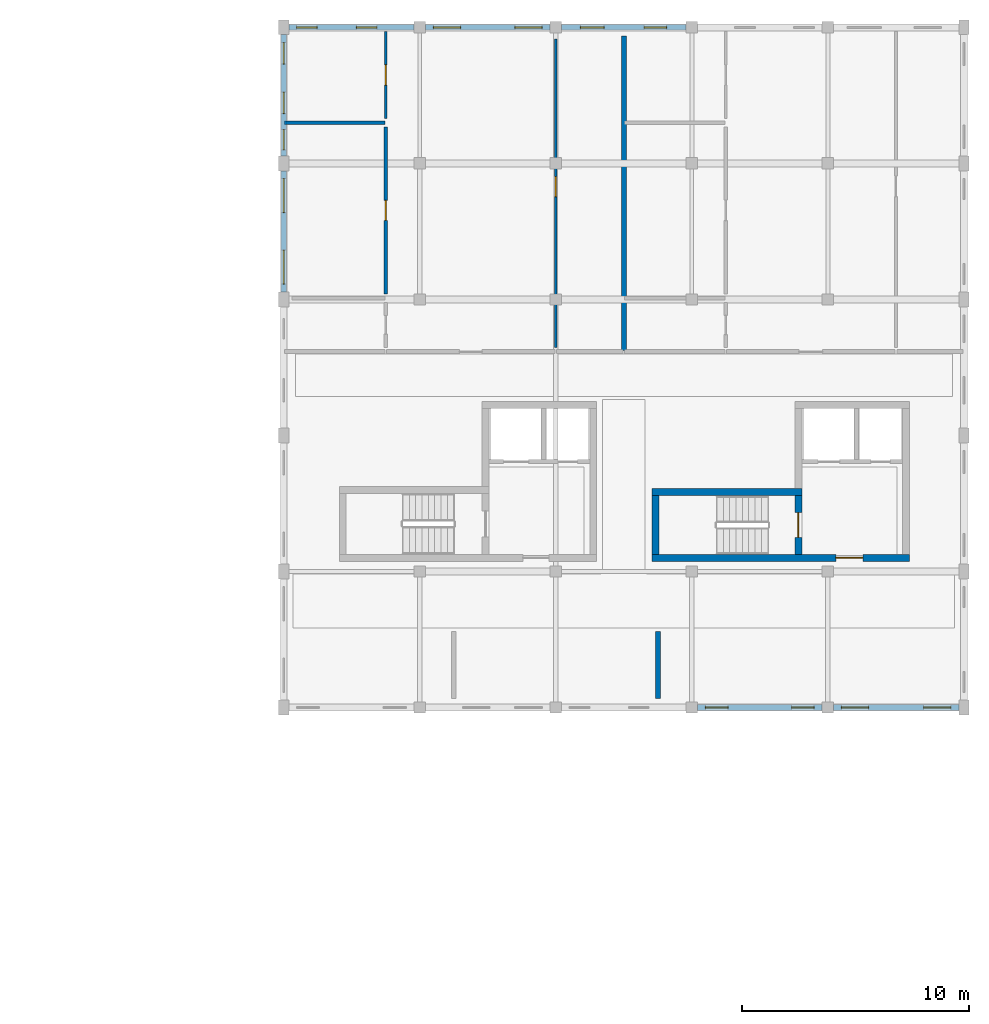
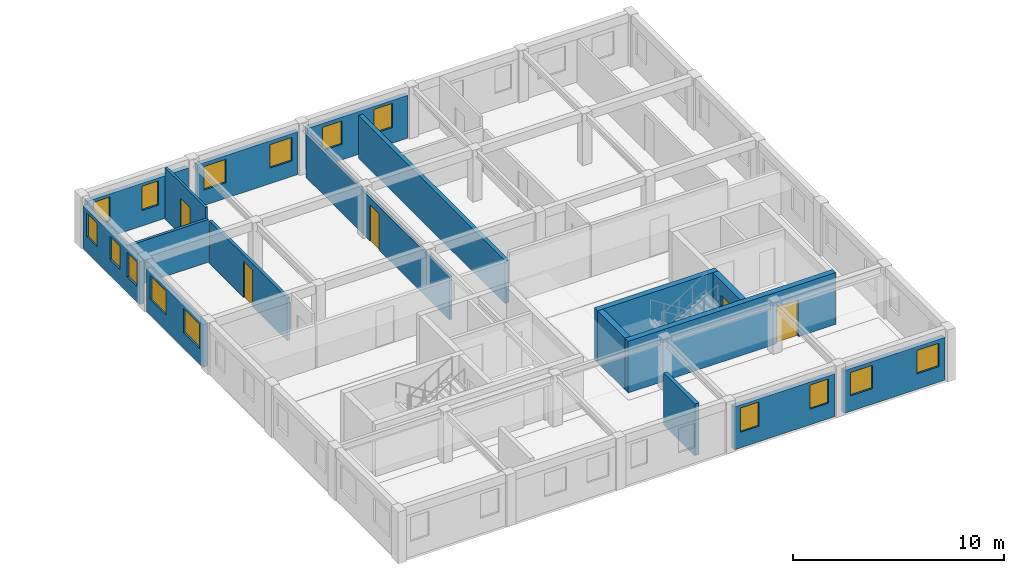
# One storey, part 8 of 13: 17 walls, 15 windows, 5 doors, 20 openings.
"""IFC4 building model written with IfcOpenShell, lengths in metres."""

from ifc_helpers import new_model, si_unit, direction, frame, frame_2d, origin, place, context, subcontext, project, spatial, rectangle, extrude, material, layer, layer_set, type_object, element, fill, save


model = new_model("IFC4")

# Units and contexts
model_context = context("Model", 3, precision=1e-05, world=origin(), true_north=direction((0.0, 1.0)))
body_context = subcontext(model_context, "Body", "Model", "MODEL_VIEW")
ifc_project = project(units=[si_unit("LENGTHUNIT", "METRE"), si_unit("AREAUNIT", "SQUARE_METRE"), si_unit("VOLUMEUNIT", "CUBIC_METRE"), si_unit("PLANEANGLEUNIT", "RADIAN"), si_unit("MASSUNIT", "GRAM", prefix="KILO"), si_unit("POWERUNIT", "WATT"), si_unit("THERMODYNAMICTEMPERATUREUNIT", "KELVIN")], contexts=[model_context])

# Site, building, storey
site_placement = place(None, origin())
site = spatial("IfcSite", under=ifc_project, at=site_placement, CompositionType="ELEMENT")
building_placement = place(site_placement, origin())
building = spatial("IfcBuilding", under=site, at=building_placement, Name="Ruvembo Vaulted Housing Court", CompositionType="ELEMENT")
storey_placement = place(building_placement, frame((0.0, 0.0, 33.300048828125)))
storey = spatial("IfcBuildingStorey", under=building, at=storey_placement, Name="L10", CompositionType="ELEMENT", Elevation=33.300048828125)

# Wall, opening, door
ifc_material_1 = material(Name="Concrete C35/45", Category="concrete")
ifc_layer_1 = layer(ifc_material_1, 0.300048828125, Name="Concrete C35/45")
ifc_layer_set_1 = layer_set([ifc_layer_1], Name="Concrete C35/45")
wall_type_1 = type_object("IfcWallType", Name="WL-CORE-300", PredefinedType="SHEAR", material=ifc_layer_set_1)
wall_1_placement = place(storey_placement, frame((64.25, 90.60009765625, 0.0), z_axis=(0.0, 0.0, 1.0), x_axis=(1.0, 0.0, 0.0)))
wall_1 = element("IfcWall", 1, at=wall_1_placement, inside=storey, type_object=wall_type_1, Name="Core B2 L10 South Shear Wall", PredefinedType="SHEAR", context=body_context, shape_type="SweptSolid", body=[
    extrude(rectangle(XDim=11.35009765625, YDim=0.300048828125, at=frame_2d((5.675048828125, 0.0))), origin(), (0.0, 0.0, 1.0), 2.989990234375),
])
opening_1_placement = place(wall_1_placement, frame((8.10009765625, 0.0, 0.0)))
opening_1 = element("IfcOpeningElement", 2, at=opening_1_placement, cuts=wall_1, Name="Opening LD3", PredefinedType="OPENING", context=body_context, shape_type="SweptSolid", body=[
    extrude(rectangle(XDim=1.199951171875, YDim=2.14990234375, at=frame_2d((0.60009765625, 1.074951171875))), frame((0.0, 0.159912109375, 0.0), z_axis=(0.0, -1.0, 0.0), x_axis=(1.0, 0.0, 0.0)), (0.0, 0.0, 1.0), 0.320068359375),
])
ifc_material_2 = material(Name="Galvanised Painted Steel", Category="steel")
door_type_1 = type_object("IfcDoorType", Name="DR-LOB-1200x2150", OperationType="NOTDEFINED", PredefinedType="DOOR", material=ifc_material_2)
door_1_placement = place(opening_1_placement, origin())
door_1 = element("IfcDoor", 3, at=door_1_placement, inside=storey, type_object=door_type_1, Name="Core B2 L10 Lobby Fire Door", OperationType="SINGLE_SWING_LEFT", OverallHeight=2.14990234375, OverallWidth=1.199951171875, PredefinedType="DOOR", context=body_context, shape_type="SweptSolid", body=[
    extrude(rectangle(XDim=1.199951171875, YDim=2.14990234375, at=frame_2d((0.60009765625, 1.074951171875))), frame((0.0, 0.02490234375, 0.0), z_axis=(0.0, -1.0, 0.0), x_axis=(1.0, 0.0, 0.0)), (0.0, 0.0, 1.0), 0.050048828125),
])
fill(opening_1, door_1)

# Walls
wall_2_placement = place(storey_placement, frame((70.85009765625, 93.5, 0.0), z_axis=(0.0, 0.0, 1.0), x_axis=(-1.0, 0.0, 0.0)))
element("IfcWall", 4, at=wall_2_placement, inside=storey, type_object=wall_type_1, Name="Core B2 L10 Stair North Shear Wall", PredefinedType="SHEAR", context=body_context, shape_type="SweptSolid", body=[
    extrude(rectangle(XDim=6.60009765625, YDim=0.300048828125, at=frame_2d((3.300048828125, 0.0))), origin(), (0.0, 0.0, 1.0), 2.989990234375),
])
wall_3_placement = place(storey_placement, frame((64.39990234375, 93.35009765625, 0.0), z_axis=(0.0, 0.0, 1.0), x_axis=(0.0, -1.0, 0.0)))
element("IfcWall", 5, at=wall_3_placement, inside=storey, type_object=wall_type_1, Name="Core B2 L10 Stair West Shear Wall", PredefinedType="SHEAR", context=body_context, shape_type="SweptSolid", body=[
    extrude(rectangle(XDim=2.60009765625, YDim=0.300048828125, at=frame_2d((1.300048828125, 0.0))), origin(), (0.0, 0.0, 1.0), 2.989990234375),
])

# Wall, opening, door
wall_4_placement = place(storey_placement, frame((70.699951171875, 90.75, 0.0), z_axis=(0.0, 0.0, 1.0), x_axis=(0.0, 1.0, 0.0)))
wall_4 = element("IfcWall", 6, at=wall_4_placement, inside=storey, type_object=wall_type_1, Name="Core B2 L10 Stair-Lobby Shear Wall", PredefinedType="SHEAR", context=body_context, shape_type="SweptSolid", body=[
    extrude(rectangle(XDim=2.60009765625, YDim=0.300048828125, at=frame_2d((1.300048828125, 0.0))), origin(), (0.0, 0.0, 1.0), 2.989990234375),
])
opening_2_placement = place(wall_4_placement, frame((0.75, 0.0, 0.0)))
opening_2 = element("IfcOpeningElement", 7, at=opening_2_placement, cuts=wall_4, Name="Opening SD2", PredefinedType="OPENING", context=body_context, shape_type="SweptSolid", body=[
    extrude(rectangle(XDim=1.10009765625, YDim=2.14990234375, at=frame_2d((0.550048828125, 1.074951171875))), frame((0.0, 0.159912109375, 0.0), z_axis=(0.0, -1.0, 0.0), x_axis=(1.0, 0.0, 0.0)), (0.0, 0.0, 1.0), 0.320068359375),
])
door_type_2 = type_object("IfcDoorType", Name="DR-STAIR-1100x2150", OperationType="NOTDEFINED", PredefinedType="DOOR", material=ifc_material_2)
door_2_placement = place(opening_2_placement, origin())
door_2 = element("IfcDoor", 8, at=door_2_placement, inside=storey, type_object=door_type_2, Name="Stair ST-B2 L10 Fire Door", OperationType="SINGLE_SWING_RIGHT", OverallHeight=2.14990234375, OverallWidth=1.10009765625, PredefinedType="DOOR", context=body_context, shape_type="SweptSolid", body=[
    extrude(rectangle(XDim=1.10009765625, YDim=2.14990234375, at=frame_2d((0.550048828125, 1.074951171875))), frame((0.0, 0.02490234375, 0.0), z_axis=(0.0, -1.0, 0.0), x_axis=(1.0, 0.0, 0.0)), (0.0, 0.0, 1.0), 0.050048828125),
])
fill(opening_2, door_2)

# Walls
ifc_material_3 = material(Name="Acoustic Masonry Demising 220", Category="masonry")
ifc_layer_2 = layer(ifc_material_3, 0.219970703125, Name="Acoustic Masonry Demising 220")
ifc_layer_set_2 = layer_set([ifc_layer_2], Name="Acoustic Masonry Demising 220")
wall_type_2 = type_object("IfcWallType", Name="WL-DEM-200", PredefinedType="SOLIDWALL", material=ifc_layer_set_2)
wall_5_placement = place(storey_placement, frame((64.5, 84.389892578125, 0.0), z_axis=(0.0, 0.0, 1.0), x_axis=(0.0, 1.0, 0.0)))
element("IfcWall", 9, at=wall_5_placement, inside=storey, type_object=wall_type_2, Name="L10 Demising B-L10-S2 WL-INT-L10-02244", PredefinedType="SOLIDWALL", context=body_context, shape_type="SweptSolid", body=[
    extrude(rectangle(XDim=2.97021484375, YDim=0.219970703125, at=frame_2d((1.485107421875, 0.0))), origin(), (0.0, 0.0, 1.0), 2.989990234375),
])
wall_6_placement = place(storey_placement, frame((63.0, 99.739990234375, 0.0), z_axis=(0.0, 0.0, 1.0), x_axis=(0.0, 1.0, 0.0)))
element("IfcWall", 10, at=wall_6_placement, inside=storey, type_object=wall_type_2, Name="L10 Demising B-L10-N1 WL-INT-L10-02245", PredefinedType="SOLIDWALL", context=body_context, shape_type="SweptSolid", body=[
    extrude(rectangle(XDim=13.8701171875, YDim=0.219970703125, at=frame_2d((6.93505859375, 0.0))), origin(), (0.0, 0.0, 1.0), 2.471923828125),
])

# Wall, openings, windows
ifc_material_4 = material(Name="Rendered Masonry 245", Category="masonry")
ifc_layer_3 = layer(ifc_material_4, 0.2451171875, Name="Rendered Masonry 245")
ifc_layer_set_3 = layer_set([ifc_layer_3], Name="Rendered Masonry 245")
wall_type_3 = type_object("IfcWallType", Name="WL-EXT-245", PredefinedType="STANDARD", material=ifc_layer_set_3)
wall_7_placement = place(storey_placement, frame((66.25, 84.0, 0.0), z_axis=(0.0, 0.0, 1.0), x_axis=(1.0, 0.0, 0.0)))
wall_7 = element("IfcWall", 11, at=wall_7_placement, inside=storey, type_object=wall_type_3, Name="Block B L10 Exterior Wall COURTYARD #4", PredefinedType="STANDARD", context=body_context, shape_type="SweptSolid", body=[
    extrude(rectangle(XDim=5.5, YDim=0.2451171875, at=frame_2d((2.75, 0.0))), origin(), (0.0, 0.0, 1.0), 2.471923828125),
])
opening_3_placement = place(wall_7_placement, frame((0.35009765625, 0.0, 0.89990234375)))
opening_3 = element("IfcOpeningElement", 12, at=opening_3_placement, cuts=wall_7, Name="Opening W08", PredefinedType="OPENING", context=body_context, shape_type="SweptSolid", body=[
    extrude(rectangle(XDim=1.0, YDim=1.39990234375, at=frame_2d((0.5, 0.699951171875))), frame((0.0, 0.132568359375, 0.0), z_axis=(0.0, -1.0, 0.0), x_axis=(1.0, 0.0, 0.0)), (0.0, 0.0, 1.0), 0.26513671875),
])
opening_4_placement = place(wall_7_placement, frame((4.14990234375, 0.0, 0.89990234375)))
opening_4 = element("IfcOpeningElement", 13, at=opening_4_placement, cuts=wall_7, Name="Opening W08", PredefinedType="OPENING", context=body_context, shape_type="SweptSolid", body=[
    extrude(rectangle(XDim=1.0, YDim=1.39990234375, at=frame_2d((0.5, 0.699951171875))), frame((0.0, 0.132568359375, 0.0), z_axis=(0.0, -1.0, 0.0), x_axis=(1.0, 0.0, 0.0)), (0.0, 0.0, 1.0), 0.26513671875),
])
ifc_material_5 = material(Name="Double Solar-Control Glazing in Aluminium Frame", Category="aluminium")
window_type_1 = type_object("IfcWindowType", Name="WIN-1000x1400", PartitioningType="SINGLE_PANEL", PredefinedType="WINDOW", material=ifc_material_5)
window_1_placement = place(opening_3_placement, origin())
window_1 = element("IfcWindow", 14, at=window_1_placement, inside=storey, type_object=window_type_1, Name="Block B L10 Window #1034", OverallHeight=1.39990234375, OverallWidth=1.0, PartitioningType="SINGLE_PANEL", PredefinedType="WINDOW", context=body_context, shape_type="SweptSolid", body=[
    extrude(rectangle(XDim=1.0, YDim=1.39990234375, at=frame_2d((0.5, 0.699951171875))), frame((0.0, 0.030029296875, 0.0), z_axis=(0.0, -1.0, 0.0), x_axis=(1.0, 0.0, 0.0)), (0.0, 0.0, 1.0), 0.06005859375),
])
fill(opening_3, window_1)
window_2_placement = place(opening_4_placement, origin())
window_2 = element("IfcWindow", 15, at=window_2_placement, inside=storey, type_object=window_type_1, Name="Block B L10 Window #1035", OverallHeight=1.39990234375, OverallWidth=1.0, PartitioningType="SINGLE_PANEL", PredefinedType="WINDOW", context=body_context, shape_type="SweptSolid", body=[
    extrude(rectangle(XDim=1.0, YDim=1.39990234375, at=frame_2d((0.5, 0.699951171875))), frame((0.0, 0.030029296875, 0.0), z_axis=(0.0, -1.0, 0.0), x_axis=(1.0, 0.0, 0.0)), (0.0, 0.0, 1.0), 0.06005859375),
])
fill(opening_4, window_2)

wall_8_placement = place(storey_placement, frame((72.25, 84.0, 0.0), z_axis=(0.0, 0.0, 1.0), x_axis=(1.0, 0.0, 0.0)))
wall_8 = element("IfcWall", 16, at=wall_8_placement, inside=storey, type_object=wall_type_3, Name="Block B L10 Exterior Wall COURTYARD #5", PredefinedType="STANDARD", context=body_context, shape_type="SweptSolid", body=[
    extrude(rectangle(XDim=5.52490234375, YDim=0.2451171875, at=frame_2d((2.762451171875, 0.0))), origin(), (0.0, 0.0, 1.0), 2.471923828125),
])
opening_5_placement = place(wall_8_placement, frame((0.35009765625, 0.0, 0.89990234375)))
opening_5 = element("IfcOpeningElement", 17, at=opening_5_placement, cuts=wall_8, Name="Opening W12", PredefinedType="OPENING", context=body_context, shape_type="SweptSolid", body=[
    extrude(rectangle(XDim=1.199951171875, YDim=1.35009765625, at=frame_2d((0.60009765625, 0.675048828125))), frame((0.0, 0.132568359375, 0.0), z_axis=(0.0, -1.0, 0.0), x_axis=(1.0, 0.0, 0.0)), (0.0, 0.0, 1.0), 0.26513671875),
])
opening_6_placement = place(wall_8_placement, frame((3.97509765625, 0.0, 0.89990234375)))
opening_6 = element("IfcOpeningElement", 18, at=opening_6_placement, cuts=wall_8, Name="Opening W12", PredefinedType="OPENING", context=body_context, shape_type="SweptSolid", body=[
    extrude(rectangle(XDim=1.199951171875, YDim=1.35009765625, at=frame_2d((0.60009765625, 0.675048828125))), frame((0.0, 0.132568359375, 0.0), z_axis=(0.0, -1.0, 0.0), x_axis=(1.0, 0.0, 0.0)), (0.0, 0.0, 1.0), 0.26513671875),
])
window_type_2 = type_object("IfcWindowType", Name="WIN-1200x1350", PartitioningType="SINGLE_PANEL", PredefinedType="WINDOW", material=ifc_material_5)
window_3_placement = place(opening_5_placement, origin())
window_3 = element("IfcWindow", 19, at=window_3_placement, inside=storey, type_object=window_type_2, Name="Block B L10 Window #1036", OverallHeight=1.35009765625, OverallWidth=1.199951171875, PartitioningType="SINGLE_PANEL", PredefinedType="WINDOW", context=body_context, shape_type="SweptSolid", body=[
    extrude(rectangle(XDim=1.199951171875, YDim=1.35009765625, at=frame_2d((0.60009765625, 0.675048828125))), frame((0.0, 0.030029296875, 0.0), z_axis=(0.0, -1.0, 0.0), x_axis=(1.0, 0.0, 0.0)), (0.0, 0.0, 1.0), 0.06005859375),
])
fill(opening_5, window_3)
window_4_placement = place(opening_6_placement, origin())
window_4 = element("IfcWindow", 20, at=window_4_placement, inside=storey, type_object=window_type_2, Name="Block B L10 Window #1037", OverallHeight=1.35009765625, OverallWidth=1.199951171875, PartitioningType="SINGLE_PANEL", PredefinedType="WINDOW", context=body_context, shape_type="SweptSolid", body=[
    extrude(rectangle(XDim=1.199951171875, YDim=1.35009765625, at=frame_2d((0.60009765625, 0.675048828125))), frame((0.0, 0.030029296875, 0.0), z_axis=(0.0, -1.0, 0.0), x_axis=(1.0, 0.0, 0.0)), (0.0, 0.0, 1.0), 0.06005859375),
])
fill(opening_6, window_4)

wall_9_placement = place(storey_placement, frame((65.75, 114.0, 0.0), z_axis=(0.0, 0.0, 1.0), x_axis=(-1.0, 0.0, 0.0)))
wall_9 = element("IfcWall", 21, at=wall_9_placement, inside=storey, type_object=wall_type_3, Name="Block B L10 Exterior Wall STREET #3", PredefinedType="STANDARD", context=body_context, shape_type="SweptSolid", body=[
    extrude(rectangle(XDim=5.5, YDim=0.2451171875, at=frame_2d((2.75, 0.0))), origin(), (0.0, 0.0, 1.0), 2.471923828125),
])
opening_7_placement = place(wall_9_placement, frame((0.85498046875, 0.0, 0.89990234375)))
opening_7 = element("IfcOpeningElement", 22, at=opening_7_placement, cuts=wall_9, Name="Opening W08", PredefinedType="OPENING", context=body_context, shape_type="SweptSolid", body=[
    extrude(rectangle(XDim=1.0, YDim=1.39990234375, at=frame_2d((0.5, 0.699951171875))), frame((0.0, 0.132568359375, 0.0), z_axis=(0.0, -1.0, 0.0), x_axis=(1.0, 0.0, 0.0)), (0.0, 0.0, 1.0), 0.26513671875),
])
opening_8_placement = place(wall_9_placement, frame((3.6201171875, 0.0, 0.89990234375)))
opening_8 = element("IfcOpeningElement", 23, at=opening_8_placement, cuts=wall_9, Name="Opening W09", PredefinedType="OPENING", context=body_context, shape_type="SweptSolid", body=[
    extrude(rectangle(XDim=1.050048828125, YDim=1.35009765625, at=frame_2d((0.52490234375, 0.675048828125))), frame((0.0, 0.132568359375, 0.0), z_axis=(0.0, -1.0, 0.0), x_axis=(1.0, 0.0, 0.0)), (0.0, 0.0, 1.0), 0.26513671875),
])
window_5_placement = place(opening_7_placement, origin())
window_5 = element("IfcWindow", 24, at=window_5_placement, inside=storey, type_object=window_type_1, Name="Block B L10 Window #1052", OverallHeight=1.39990234375, OverallWidth=1.0, PartitioningType="SINGLE_PANEL", PredefinedType="WINDOW", context=body_context, shape_type="SweptSolid", body=[
    extrude(rectangle(XDim=1.0, YDim=1.39990234375, at=frame_2d((0.5, 0.699951171875))), frame((0.0, 0.030029296875, 0.0), z_axis=(0.0, -1.0, 0.0), x_axis=(1.0, 0.0, 0.0)), (0.0, 0.0, 1.0), 0.06005859375),
])
fill(opening_7, window_5)
window_type_3 = type_object("IfcWindowType", Name="WIN-1050x1350", PartitioningType="SINGLE_PANEL", PredefinedType="WINDOW", material=ifc_material_5)
window_6_placement = place(opening_8_placement, origin())
window_6 = element("IfcWindow", 25, at=window_6_placement, inside=storey, type_object=window_type_3, Name="Block B L10 Window #1053", OverallHeight=1.35009765625, OverallWidth=1.050048828125, PartitioningType="SINGLE_PANEL", PredefinedType="WINDOW", context=body_context, shape_type="SweptSolid", body=[
    extrude(rectangle(XDim=1.050048828125, YDim=1.35009765625, at=frame_2d((0.52490234375, 0.675048828125))), frame((0.0, 0.030029296875, 0.0), z_axis=(0.0, -1.0, 0.0), x_axis=(1.0, 0.0, 0.0)), (0.0, 0.0, 1.0), 0.06005859375),
])
fill(opening_8, window_6)

wall_10_placement = place(storey_placement, frame((59.75, 114.0, 0.0), z_axis=(0.0, 0.0, 1.0), x_axis=(-1.0, 0.0, 0.0)))
wall_10 = element("IfcWall", 26, at=wall_10_placement, inside=storey, type_object=wall_type_3, Name="Block B L10 Exterior Wall STREET #4", PredefinedType="STANDARD", context=body_context, shape_type="SweptSolid", body=[
    extrude(rectangle(XDim=5.5, YDim=0.2451171875, at=frame_2d((2.75, 0.0))), origin(), (0.0, 0.0, 1.0), 2.471923828125),
])
opening_9_placement = place(wall_10_placement, frame((0.35009765625, 0.0, 0.89990234375)))
opening_9 = element("IfcOpeningElement", 27, at=opening_9_placement, cuts=wall_10, Name="Opening W12", PredefinedType="OPENING", context=body_context, shape_type="SweptSolid", body=[
    extrude(rectangle(XDim=1.199951171875, YDim=1.35009765625, at=frame_2d((0.60009765625, 0.675048828125))), frame((0.0, 0.132568359375, 0.0), z_axis=(0.0, -1.0, 0.0), x_axis=(1.0, 0.0, 0.0)), (0.0, 0.0, 1.0), 0.26513671875),
])
opening_10_placement = place(wall_10_placement, frame((3.949951171875, 0.0, 0.89990234375)))
opening_10 = element("IfcOpeningElement", 28, at=opening_10_placement, cuts=wall_10, Name="Opening W12", PredefinedType="OPENING", context=body_context, shape_type="SweptSolid", body=[
    extrude(rectangle(XDim=1.199951171875, YDim=1.35009765625, at=frame_2d((0.60009765625, 0.675048828125))), frame((0.0, 0.132568359375, 0.0), z_axis=(0.0, -1.0, 0.0), x_axis=(1.0, 0.0, 0.0)), (0.0, 0.0, 1.0), 0.26513671875),
])
window_7_placement = place(opening_9_placement, origin())
window_7 = element("IfcWindow", 29, at=window_7_placement, inside=storey, type_object=window_type_2, Name="Block B L10 Window #1054", OverallHeight=1.35009765625, OverallWidth=1.199951171875, PartitioningType="SINGLE_PANEL", PredefinedType="WINDOW", context=body_context, shape_type="SweptSolid", body=[
    extrude(rectangle(XDim=1.199951171875, YDim=1.35009765625, at=frame_2d((0.60009765625, 0.675048828125))), frame((0.0, 0.030029296875, 0.0), z_axis=(0.0, -1.0, 0.0), x_axis=(1.0, 0.0, 0.0)), (0.0, 0.0, 1.0), 0.06005859375),
])
fill(opening_9, window_7)
window_8_placement = place(opening_10_placement, origin())
window_8 = element("IfcWindow", 30, at=window_8_placement, inside=storey, type_object=window_type_2, Name="Block B L10 Window #1055", OverallHeight=1.35009765625, OverallWidth=1.199951171875, PartitioningType="SINGLE_PANEL", PredefinedType="WINDOW", context=body_context, shape_type="SweptSolid", body=[
    extrude(rectangle(XDim=1.199951171875, YDim=1.35009765625, at=frame_2d((0.60009765625, 0.675048828125))), frame((0.0, 0.030029296875, 0.0), z_axis=(0.0, -1.0, 0.0), x_axis=(1.0, 0.0, 0.0)), (0.0, 0.0, 1.0), 0.06005859375),
])
fill(opening_10, window_8)

wall_11_placement = place(storey_placement, frame((53.75, 114.0, 0.0), z_axis=(0.0, 0.0, 1.0), x_axis=(-1.0, 0.0, 0.0)))
wall_11 = element("IfcWall", 31, at=wall_11_placement, inside=storey, type_object=wall_type_3, Name="Block B L10 Exterior Wall STREET #5", PredefinedType="STANDARD", context=body_context, shape_type="SweptSolid", body=[
    extrude(rectangle(XDim=5.52490234375, YDim=0.2451171875, at=frame_2d((2.762451171875, 0.0))), origin(), (0.0, 0.0, 1.0), 2.471923828125),
])
opening_11_placement = place(wall_11_placement, frame((1.639892578125, 0.0, 0.89990234375)))
opening_11 = element("IfcOpeningElement", 32, at=opening_11_placement, cuts=wall_11, Name="Opening W05", PredefinedType="OPENING", context=body_context, shape_type="SweptSolid", body=[
    extrude(rectangle(XDim=0.89990234375, YDim=1.39990234375, at=frame_2d((0.449951171875, 0.699951171875))), frame((0.0, 0.132568359375, 0.0), z_axis=(0.0, -1.0, 0.0), x_axis=(1.0, 0.0, 0.0)), (0.0, 0.0, 1.0), 0.26513671875),
])
opening_12_placement = place(wall_11_placement, frame((4.27490234375, 0.0, 0.89990234375)))
opening_12 = element("IfcOpeningElement", 33, at=opening_12_placement, cuts=wall_11, Name="Opening W05", PredefinedType="OPENING", context=body_context, shape_type="SweptSolid", body=[
    extrude(rectangle(XDim=0.89990234375, YDim=1.39990234375, at=frame_2d((0.449951171875, 0.699951171875))), frame((0.0, 0.132568359375, 0.0), z_axis=(0.0, -1.0, 0.0), x_axis=(1.0, 0.0, 0.0)), (0.0, 0.0, 1.0), 0.26513671875),
])
window_type_4 = type_object("IfcWindowType", Name="WIN-0900x1400", PartitioningType="SINGLE_PANEL", PredefinedType="WINDOW", material=ifc_material_5)
window_9_placement = place(opening_11_placement, origin())
window_9 = element("IfcWindow", 34, at=window_9_placement, inside=storey, type_object=window_type_4, Name="Block B L10 Window #1056", OverallHeight=1.39990234375, OverallWidth=0.89990234375, PartitioningType="SINGLE_PANEL", PredefinedType="WINDOW", context=body_context, shape_type="SweptSolid", body=[
    extrude(rectangle(XDim=0.89990234375, YDim=1.39990234375, at=frame_2d((0.449951171875, 0.699951171875))), frame((0.0, 0.030029296875, 0.0), z_axis=(0.0, -1.0, 0.0), x_axis=(1.0, 0.0, 0.0)), (0.0, 0.0, 1.0), 0.06005859375),
])
fill(opening_11, window_9)
window_10_placement = place(opening_12_placement, origin())
window_10 = element("IfcWindow", 35, at=window_10_placement, inside=storey, type_object=window_type_4, Name="Block B L10 Window #1057", OverallHeight=1.39990234375, OverallWidth=0.89990234375, PartitioningType="SINGLE_PANEL", PredefinedType="WINDOW", context=body_context, shape_type="SweptSolid", body=[
    extrude(rectangle(XDim=0.89990234375, YDim=1.39990234375, at=frame_2d((0.449951171875, 0.699951171875))), frame((0.0, 0.030029296875, 0.0), z_axis=(0.0, -1.0, 0.0), x_axis=(1.0, 0.0, 0.0)), (0.0, 0.0, 1.0), 0.06005859375),
])
fill(opening_12, window_10)

wall_12_placement = place(storey_placement, frame((48.0, 113.675048828125, 0.0), z_axis=(0.0, 0.0, 1.0), x_axis=(0.0, -1.0, 0.0)))
wall_12 = element("IfcWall", 36, at=wall_12_placement, inside=storey, type_object=wall_type_3, Name="Block B L10 Exterior Wall WEST #1", PredefinedType="STANDARD", context=body_context, shape_type="SweptSolid", body=[
    extrude(rectangle(XDim=5.35009765625, YDim=0.2451171875, at=frame_2d((2.675048828125, 0.0))), origin(), (0.0, 0.0, 1.0), 2.471923828125),
])
opening_13_placement = place(wall_12_placement, frame((0.35009765625, 0.0, 0.89990234375)))
opening_13 = element("IfcOpeningElement", 37, at=opening_13_placement, cuts=wall_12, Name="Opening W07", PredefinedType="OPENING", context=body_context, shape_type="SweptSolid", body=[
    extrude(rectangle(XDim=0.949951171875, YDim=1.35009765625, at=frame_2d((0.47509765625, 0.675048828125))), frame((0.0, 0.132568359375, 0.0), z_axis=(0.0, -1.0, 0.0), x_axis=(1.0, 0.0, 0.0)), (0.0, 0.0, 1.0), 0.26513671875),
])
opening_14_placement = place(wall_12_placement, frame((2.534912109375, 0.0, 0.89990234375)))
opening_14 = element("IfcOpeningElement", 38, at=opening_14_placement, cuts=wall_12, Name="Opening W07", PredefinedType="OPENING", context=body_context, shape_type="SweptSolid", body=[
    extrude(rectangle(XDim=0.949951171875, YDim=1.35009765625, at=frame_2d((0.47509765625, 0.675048828125))), frame((0.0, 0.132568359375, 0.0), z_axis=(0.0, -1.0, 0.0), x_axis=(1.0, 0.0, 0.0)), (0.0, 0.0, 1.0), 0.26513671875),
])
opening_15_placement = place(wall_12_placement, frame((4.1826171875, 0.0, 0.89990234375)))
opening_15 = element("IfcOpeningElement", 39, at=opening_15_placement, cuts=wall_12, Name="Opening W05", PredefinedType="OPENING", context=body_context, shape_type="SweptSolid", body=[
    extrude(rectangle(XDim=0.89990234375, YDim=1.39990234375, at=frame_2d((0.449951171875, 0.699951171875))), frame((0.0, 0.132568359375, 0.0), z_axis=(0.0, -1.0, 0.0), x_axis=(1.0, 0.0, 0.0)), (0.0, 0.0, 1.0), 0.26513671875),
])
window_11_placement = place(opening_15_placement, origin())
window_11 = element("IfcWindow", 40, at=window_11_placement, inside=storey, type_object=window_type_4, Name="Block B L10 Window #1060", OverallHeight=1.39990234375, OverallWidth=0.89990234375, PartitioningType="SINGLE_PANEL", PredefinedType="WINDOW", context=body_context, shape_type="SweptSolid", body=[
    extrude(rectangle(XDim=0.89990234375, YDim=1.39990234375, at=frame_2d((0.449951171875, 0.699951171875))), frame((0.0, 0.030029296875, 0.0), z_axis=(0.0, -1.0, 0.0), x_axis=(1.0, 0.0, 0.0)), (0.0, 0.0, 1.0), 0.06005859375),
])
fill(opening_15, window_11)
window_type_5 = type_object("IfcWindowType", Name="WIN-0950x1350", PartitioningType="SINGLE_PANEL", PredefinedType="WINDOW", material=ifc_material_5)
window_12_placement = place(opening_13_placement, origin())
window_12 = element("IfcWindow", 41, at=window_12_placement, inside=storey, type_object=window_type_5, Name="Block B L10 Window #1058", OverallHeight=1.35009765625, OverallWidth=0.949951171875, PartitioningType="SINGLE_PANEL", PredefinedType="WINDOW", context=body_context, shape_type="SweptSolid", body=[
    extrude(rectangle(XDim=0.949951171875, YDim=1.35009765625, at=frame_2d((0.47509765625, 0.675048828125))), frame((0.0, 0.030029296875, 0.0), z_axis=(0.0, -1.0, 0.0), x_axis=(1.0, 0.0, 0.0)), (0.0, 0.0, 1.0), 0.06005859375),
])
fill(opening_13, window_12)
window_13_placement = place(opening_14_placement, origin())
window_13 = element("IfcWindow", 42, at=window_13_placement, inside=storey, type_object=window_type_5, Name="Block B L10 Window #1059", OverallHeight=1.35009765625, OverallWidth=0.949951171875, PartitioningType="SINGLE_PANEL", PredefinedType="WINDOW", context=body_context, shape_type="SweptSolid", body=[
    extrude(rectangle(XDim=0.949951171875, YDim=1.35009765625, at=frame_2d((0.47509765625, 0.675048828125))), frame((0.0, 0.030029296875, 0.0), z_axis=(0.0, -1.0, 0.0), x_axis=(1.0, 0.0, 0.0)), (0.0, 0.0, 1.0), 0.06005859375),
])
fill(opening_14, window_13)

wall_13_placement = place(storey_placement, frame((48.0, 107.675048828125, 0.0), z_axis=(0.0, 0.0, 1.0), x_axis=(0.0, -1.0, 0.0)))
wall_13 = element("IfcWall", 43, at=wall_13_placement, inside=storey, type_object=wall_type_3, Name="Block B L10 Exterior Wall WEST #2", PredefinedType="STANDARD", context=body_context, shape_type="SweptSolid", body=[
    extrude(rectangle(XDim=5.35009765625, YDim=0.2451171875, at=frame_2d((2.675048828125, 0.0))), origin(), (0.0, 0.0, 1.0), 2.471923828125),
])
opening_16_placement = place(wall_13_placement, frame((0.35009765625, 0.0, 0.89990234375)))
opening_16 = element("IfcOpeningElement", 44, at=opening_16_placement, cuts=wall_13, Name="Opening W18", PredefinedType="OPENING", context=body_context, shape_type="SweptSolid", body=[
    extrude(rectangle(XDim=1.5, YDim=1.39990234375, at=frame_2d((0.75, 0.699951171875))), frame((0.0, 0.132568359375, 0.0), z_axis=(0.0, -1.0, 0.0), x_axis=(1.0, 0.0, 0.0)), (0.0, 0.0, 1.0), 0.26513671875),
])
opening_17_placement = place(wall_13_placement, frame((3.5, 0.0, 0.89990234375)))
opening_17 = element("IfcOpeningElement", 45, at=opening_17_placement, cuts=wall_13, Name="Opening W18", PredefinedType="OPENING", context=body_context, shape_type="SweptSolid", body=[
    extrude(rectangle(XDim=1.5, YDim=1.39990234375, at=frame_2d((0.75, 0.699951171875))), frame((0.0, 0.132568359375, 0.0), z_axis=(0.0, -1.0, 0.0), x_axis=(1.0, 0.0, 0.0)), (0.0, 0.0, 1.0), 0.26513671875),
])
window_type_6 = type_object("IfcWindowType", Name="WIN-1500x1400", PartitioningType="SINGLE_PANEL", PredefinedType="WINDOW", material=ifc_material_5)
window_14_placement = place(opening_16_placement, origin())
window_14 = element("IfcWindow", 46, at=window_14_placement, inside=storey, type_object=window_type_6, Name="Block B L10 Window #1061", OverallHeight=1.39990234375, OverallWidth=1.5, PartitioningType="SINGLE_PANEL", PredefinedType="WINDOW", context=body_context, shape_type="SweptSolid", body=[
    extrude(rectangle(XDim=1.5, YDim=1.39990234375, at=frame_2d((0.75, 0.699951171875))), frame((0.0, 0.030029296875, 0.0), z_axis=(0.0, -1.0, 0.0), x_axis=(1.0, 0.0, 0.0)), (0.0, 0.0, 1.0), 0.06005859375),
])
fill(opening_16, window_14)
window_15_placement = place(opening_17_placement, origin())
window_15 = element("IfcWindow", 47, at=window_15_placement, inside=storey, type_object=window_type_6, Name="Block B L10 Window #1062", OverallHeight=1.39990234375, OverallWidth=1.5, PartitioningType="SINGLE_PANEL", PredefinedType="WINDOW", context=body_context, shape_type="SweptSolid", body=[
    extrude(rectangle(XDim=1.5, YDim=1.39990234375, at=frame_2d((0.75, 0.699951171875))), frame((0.0, 0.030029296875, 0.0), z_axis=(0.0, -1.0, 0.0), x_axis=(1.0, 0.0, 0.0)), (0.0, 0.0, 1.0), 0.06005859375),
])
fill(opening_17, window_15)

# Wall, opening, door
ifc_material_6 = material(Name="Plasterboard Stud Partition 125", Category="gypsum")
ifc_layer_4 = layer(ifc_material_6, 0.125, Name="Plasterboard Stud Partition 125")
ifc_layer_set_4 = layer_set([ifc_layer_4], Name="Plasterboard Stud Partition 125")
wall_type_4 = type_object("IfcWallType", Name="WL-PART-125", PredefinedType="PARTITIONING", material=ifc_layer_set_4)
wall_14_placement = place(storey_placement, frame((52.5, 109.989990234375, 0.0), z_axis=(0.0, 0.0, 1.0), x_axis=(0.0, 1.0, 0.0)))
wall_14 = element("IfcWall", 48, at=wall_14_placement, inside=storey, type_object=wall_type_4, Name="L10 Flat B-L10-N1 Bedroom 1 WL-INT-L10-02248", PredefinedType="PARTITIONING", context=body_context, shape_type="SweptSolid", body=[
    extrude(rectangle(XDim=3.820068359375, YDim=0.125, at=frame_2d((1.91015625, 0.0))), origin(), (0.0, 0.0, 1.0), 2.989990234375),
])
opening_18_placement = place(wall_14_placement, frame((1.4599609375, 0.0, 0.0)))
opening_18 = element("IfcOpeningElement", 49, at=opening_18_placement, cuts=wall_14, Name="Opening ID1", PredefinedType="OPENING", context=body_context, shape_type="SweptSolid", body=[
    extrude(rectangle(XDim=0.89990234375, YDim=2.10009765625, at=frame_2d((0.449951171875, 1.050048828125))), frame((0.0, 0.072509765625, 0.0), z_axis=(0.0, -1.0, 0.0), x_axis=(1.0, 0.0, 0.0)), (0.0, 0.0, 1.0), 0.14501953125),
])
ifc_material_7 = material(Name="FSC Hardwood and Engineered Timber", Category="wood")
door_type_3 = type_object("IfcDoorType", Name="DR-ROOM-0900x2100", OperationType="NOTDEFINED", PredefinedType="DOOR", material=ifc_material_7)
door_3_placement = place(opening_18_placement, origin())
door_3 = element("IfcDoor", 50, at=door_3_placement, inside=storey, type_object=door_type_3, Name="L10 Flat B-L10-N1 Bedroom 1 Door DR-INT-L10-01246", OperationType="SINGLE_SWING_RIGHT", OverallHeight=2.10009765625, OverallWidth=0.89990234375, PredefinedType="DOOR", context=body_context, shape_type="SweptSolid", body=[
    extrude(rectangle(XDim=0.89990234375, YDim=2.10009765625, at=frame_2d((0.449951171875, 1.050048828125))), frame((0.0, 0.02490234375, 0.0), z_axis=(0.0, -1.0, 0.0), x_axis=(1.0, 0.0, 0.0)), (0.0, 0.0, 1.0), 0.050048828125),
])
fill(opening_18, door_3)

wall_15_placement = place(storey_placement, frame((60.0, 99.889892578125, 0.0), z_axis=(0.0, 0.0, 1.0), x_axis=(0.0, 1.0, 0.0)))
wall_15 = element("IfcWall", 51, at=wall_15_placement, inside=storey, type_object=wall_type_4, Name="L10 Flat B-L10-N1 Bedroom 2 WL-INT-L10-02254", PredefinedType="PARTITIONING", context=body_context, shape_type="SweptSolid", body=[
    extrude(rectangle(XDim=13.60009765625, YDim=0.125, at=frame_2d((6.800048828125, 0.0))), origin(), (0.0, 0.0, 1.0), 2.508056640625),
])
opening_19_placement = place(wall_15_placement, frame((6.64990234375, 0.0, 0.0)))
opening_19 = element("IfcOpeningElement", 52, at=opening_19_placement, cuts=wall_15, Name="Opening ID3", PredefinedType="OPENING", context=body_context, shape_type="SweptSolid", body=[
    extrude(rectangle(XDim=0.8798828125, YDim=2.10009765625, at=frame_2d((0.43994140625, 1.050048828125))), frame((0.0, 0.072509765625, 0.0), z_axis=(0.0, -1.0, 0.0), x_axis=(1.0, 0.0, 0.0)), (0.0, 0.0, 1.0), 0.14501953125),
])
door_type_4 = type_object("IfcDoorType", Name="DR-ROOM-0880x2100", OperationType="NOTDEFINED", PredefinedType="DOOR", material=ifc_material_7)
door_4_placement = place(opening_19_placement, origin())
door_4 = element("IfcDoor", 53, at=door_4_placement, inside=storey, type_object=door_type_4, Name="L10 Flat B-L10-N1 Bedroom 2 Door DR-INT-L10-01249", OperationType="SINGLE_SWING_LEFT", OverallHeight=2.10009765625, OverallWidth=0.8798828125, PredefinedType="DOOR", context=body_context, shape_type="SweptSolid", body=[
    extrude(rectangle(XDim=0.8798828125, YDim=2.10009765625, at=frame_2d((0.43994140625, 1.050048828125))), frame((0.0, 0.02490234375, 0.0), z_axis=(0.0, -1.0, 0.0), x_axis=(1.0, 0.0, 0.0)), (0.0, 0.0, 1.0), 0.050048828125),
])
fill(opening_19, door_4)

# Wall
ifc_material_8 = material(Name="Moisture-Resistant Wet Partition 150", Category="gypsum")
ifc_layer_5 = layer(ifc_material_8, 0.14990234375, Name="Moisture-Resistant Wet Partition 150")
ifc_layer_set_5 = layer_set([ifc_layer_5], Name="Moisture-Resistant Wet Partition 150")
wall_type_5 = type_object("IfcWallType", Name="WL-PART-150", PredefinedType="PARTITIONING", material=ifc_layer_set_5)
wall_16_placement = place(storey_placement, frame((48.0400390625, 109.800048828125, 0.0), z_axis=(0.0, 0.0, 1.0), x_axis=(1.0, 0.0, 0.0)))
element("IfcWall", 54, at=wall_16_placement, inside=storey, type_object=wall_type_5, Name="L10 Flat B-L10-N1 Wet Wall 1 WL-INT-L10-02251", PredefinedType="PARTITIONING", context=body_context, shape_type="SweptSolid", body=[
    extrude(rectangle(XDim=4.419921875, YDim=0.14990234375, at=frame_2d((2.2099609375, 0.0))), origin(), (0.0, 0.0, 1.0), 2.471923828125),
])

# Wall, opening, door
ifc_material_9 = material(Name="Acoustic Service Chase Wall 160", Category="gypsum")
ifc_layer_6 = layer(ifc_material_9, 0.159912109375, Name="Acoustic Service Chase Wall 160")
ifc_layer_set_6 = layer_set([ifc_layer_6], Name="Acoustic Service Chase Wall 160")
wall_type_6 = type_object("IfcWallType", Name="WL-PLUMB-160", PredefinedType="PLUMBINGWALL", material=ifc_layer_set_6)
wall_17_placement = place(storey_placement, frame((52.5, 102.239990234375, 0.0), z_axis=(0.0, 0.0, 1.0), x_axis=(0.0, 1.0, 0.0)))
wall_17 = element("IfcWall", 55, at=wall_17_placement, inside=storey, type_object=wall_type_6, Name="L10 Flat B-L10-N1 Kitchen WL-INT-L10-02249", PredefinedType="PLUMBINGWALL", context=body_context, shape_type="SweptSolid", body=[
    extrude(rectangle(XDim=7.3701171875, YDim=0.159912109375, at=frame_2d((3.68505859375, 0.0))), origin(), (0.0, 0.0, 1.0), 2.471923828125),
])
opening_20_placement = place(wall_17_placement, frame((3.2451171875, 0.0, 0.0)))
opening_20 = element("IfcOpeningElement", 56, at=opening_20_placement, cuts=wall_17, Name="Opening ID3", PredefinedType="OPENING", context=body_context, shape_type="SweptSolid", body=[
    extrude(rectangle(XDim=0.8798828125, YDim=2.10009765625, at=frame_2d((0.43994140625, 1.050048828125))), frame((0.0, 0.08984375, 0.0), z_axis=(0.0, -1.0, 0.0), x_axis=(1.0, 0.0, 0.0)), (0.0, 0.0, 1.0), 0.179931640625),
])
door_5_placement = place(opening_20_placement, origin())
door_5 = element("IfcDoor", 57, at=door_5_placement, inside=storey, type_object=door_type_4, Name="L10 Flat B-L10-N1 Kitchen Door DR-INT-L10-01247", OperationType="SINGLE_SWING_LEFT", OverallHeight=2.10009765625, OverallWidth=0.8798828125, PredefinedType="DOOR", context=body_context, shape_type="SweptSolid", body=[
    extrude(rectangle(XDim=0.8798828125, YDim=2.10009765625, at=frame_2d((0.43994140625, 1.050048828125))), frame((0.0, 0.02490234375, 0.0), z_axis=(0.0, -1.0, 0.0), x_axis=(1.0, 0.0, 0.0)), (0.0, 0.0, 1.0), 0.050048828125),
])
fill(opening_20, door_5)

save(model, "model.ifc")
